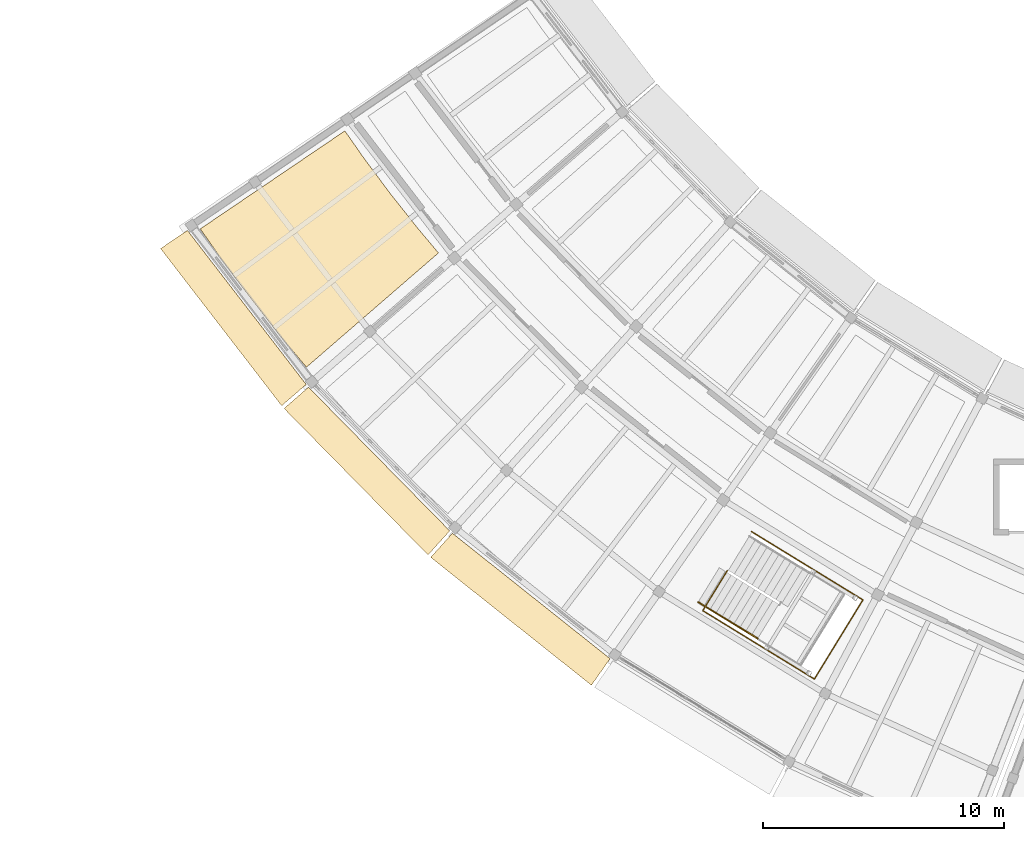
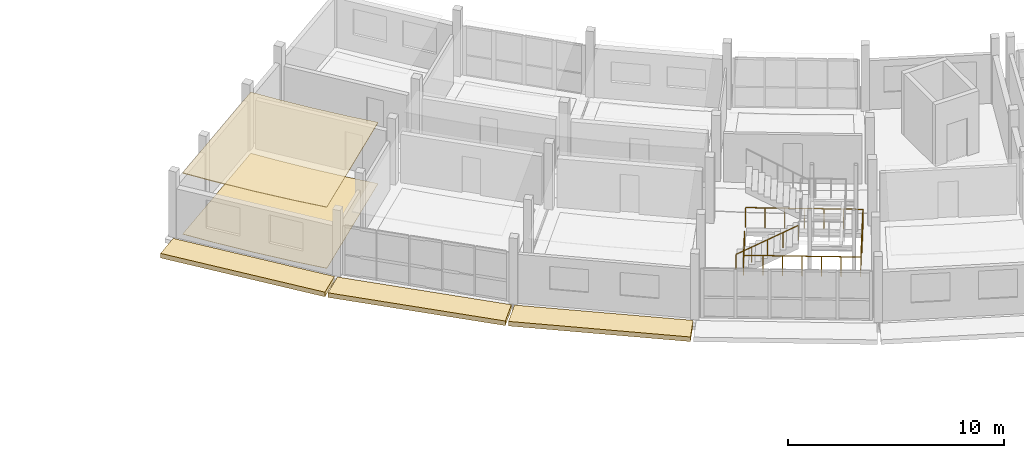
# One storey, part 67 of 77: 5 coverings, 2 railings.
"""IFC4 building model written with IfcOpenShell, lengths in metres."""

from ifc_helpers import new_model, si_unit, direction, frame, origin, origin_2d, place, context, subcontext, project, spatial, polyline, circle, outline, extrude, material, layer, layer_set, type_object, element, save


model = new_model("IFC4")

# Units and contexts
model_context = context("Model", 3, precision=1e-05, world=origin(), true_north=direction((0.0, 1.0)))
body_context = subcontext(model_context, "Body", "Model", "MODEL_VIEW")
ifc_project = project(units=[si_unit("LENGTHUNIT", "METRE"), si_unit("AREAUNIT", "SQUARE_METRE"), si_unit("VOLUMEUNIT", "CUBIC_METRE"), si_unit("PLANEANGLEUNIT", "RADIAN"), si_unit("MASSUNIT", "GRAM", prefix="KILO")], contexts=[model_context])

# Site, building, storey
site_placement = place(None, origin())
site = spatial("IfcSite", under=ifc_project, at=site_placement, CompositionType="ELEMENT")
building_placement = place(site_placement, origin())
building = spatial("IfcBuilding", under=site, at=building_placement, Name="Caldaven Crescent School", CompositionType="ELEMENT")
storey_placement = place(building_placement, frame((0.0, 0.0, 4.419921875)))
storey = spatial("IfcBuildingStorey", under=building, at=storey_placement, Name="L01", CompositionType="ELEMENT", Elevation=4.419921875)

# Coverings
ifc_material_1 = material(Name="White architectural GFRC precast concrete C35/45 cladding", Category="concrete")
ifc_layer_1 = layer(ifc_material_1, 0.260009765625)
ifc_layer_set_1 = layer_set([ifc_layer_1], Name="White architectural GFRC precast concrete C35/45 cladding")
covering_type_1 = type_object("IfcCoveringType", Name="COV-CLD2", PredefinedType="CLADDING", material=ifc_layer_set_1)
covering_1_placement = place(storey_placement, frame((0.0, 0.0, -0.260009765625)))
element("IfcCovering", 1, at=covering_1_placement, inside=storey, type_object=covering_type_1, Name="CLD-OUT-L01-002", PredefinedType="CLADDING", context=body_context, shape_type="SweptSolid", body=[
    extrude(outline(polyline([(30.334716796875, 56.671142578125), (35.2734375, 50.26220703125), (34.253662109375, 49.377685546875), (29.219482421875, 55.910400390625), (30.334716796875, 56.671142578125)])), origin(), (0.0, 0.0, 1.0), 0.260009765625),
])
covering_2_placement = place(storey_placement, frame((0.0, 0.0, -0.260009765625)))
element("IfcCovering", 2, at=covering_2_placement, inside=storey, type_object=covering_type_1, Name="CLD-OUT-L01-004", PredefinedType="CLADDING", context=body_context, shape_type="SweptSolid", body=[
    extrude(outline(polyline([(35.369140625, 50.15185546875), (41.240478515625, 44.177490234375), (40.3359375, 43.175048828125), (34.351318359375, 49.26513671875), (35.369140625, 50.15185546875)])), origin(), (0.0, 0.0, 1.0), 0.260009765625),
])
covering_3_placement = place(storey_placement, frame((0.0, 0.0, -0.260009765625)))
element("IfcCovering", 3, at=covering_3_placement, inside=storey, type_object=covering_type_1, Name="CLD-OUT-L01-006", PredefinedType="CLADDING", context=body_context, shape_type="SweptSolid", body=[
    extrude(outline(polyline([(41.34912109375, 44.07958984375), (47.904541015625, 38.865234375), (47.12890625, 37.760009765625), (40.44677734375, 43.075439453125), (41.34912109375, 44.07958984375)])), origin(), (0.0, 0.0, 1.0), 0.260009765625),
])
ifc_material_2 = material(Name="Perforated Pino Radiata acoustic timber baffle ceiling", Category="wood")
ifc_layer_2 = layer(ifc_material_2, 0.0380859375)
ifc_layer_set_2 = layer_set([ifc_layer_2], Name="Perforated Pino Radiata acoustic timber baffle ceiling")
covering_type_2 = type_object("IfcCoveringType", Name="COV-CLG2", PredefinedType="CEILING", material=ifc_layer_set_2)
covering_4_placement = place(storey_placement, frame((0.0, 0.0, 3.4521484375)))
element("IfcCovering", 4, at=covering_4_placement, inside=storey, type_object=covering_type_2, Name="CLG-L01-117", PredefinedType="CEILING", context=body_context, shape_type="SweptSolid", body=[
    extrude(outline(polyline([(37.66357421875, 59.68310546875), (37.671142578125, 59.672607421875), (38.752685546875, 58.219482421875), (38.7607421875, 58.208984375), (39.88427734375, 56.788330078125), (39.892578125, 56.778076171875), (40.772216796875, 55.730712890625), (35.2822265625, 50.980224609375), (34.260986328125, 52.1962890625), (32.996826171875, 53.794677734375), (31.7802734375, 55.429443359375), (30.8701171875, 56.730712890625), (36.87939453125, 60.80419921875), (37.66357421875, 59.68310546875)])), origin(), (0.0, 0.0, 1.0), 0.037841796875),
])
ifc_material_3 = material(Name="Polished terrazzo and acoustic linoleum flooring")
ifc_layer_3 = layer(ifc_material_3, 0.02001953125)
ifc_layer_set_3 = layer_set([ifc_layer_3], Name="Polished terrazzo and acoustic linoleum flooring")
covering_type_3 = type_object("IfcCoveringType", Name="COV-FLR1", PredefinedType="FLOORING", material=ifc_layer_set_3)
covering_5_placement = place(storey_placement, origin())
element("IfcCovering", 5, at=covering_5_placement, inside=storey, type_object=covering_type_3, Name="FLR-L01-117", PredefinedType="FLOORING", context=body_context, shape_type="SweptSolid", body=[
    extrude(outline(polyline([(36.87939453125, 60.80419921875), (37.66357421875, 59.68310546875), (37.671142578125, 59.672607421875), (38.752685546875, 58.219482421875), (38.7607421875, 58.208984375), (39.88427734375, 56.788330078125), (39.892578125, 56.778076171875), (40.772216796875, 55.730712890625), (35.2822265625, 50.980224609375), (34.260986328125, 52.1962890625), (32.996826171875, 53.794677734375), (31.7802734375, 55.429443359375), (30.8701171875, 56.730712890625), (36.87939453125, 60.80419921875)])), origin(), (0.0, 0.0, 1.0), 0.02001953125),
])

# Railings
ifc_material_4 = material(Name="Brushed stainless-steel continuous tubular handrail", Category="steel")
railing_type_1 = type_object("IfcRailingType", Name="RAL-HR1", PredefinedType="HANDRAIL", material=ifc_material_4)
railing_1_placement = place(storey_placement, frame((51.56787109375, 41.218017578125, 0.173095703125)))
element("IfcRailing", 6, at=railing_1_placement, inside=storey, type_object=railing_type_1, Name="HR-ST1-L01-F1", PredefinedType="HANDRAIL", context=body_context, shape_type="SweptSolid", body=[
    extrude(circle(Radius=0.02392578125, at=origin_2d()), frame((0.0, 0.0, 0.85595703125), z_axis=(0.735587074415, -0.450735918624, 0.50571611366), x_axis=(0.522471243916, 0.85265690596, 0.0)), (0.0, 0.0, 1.0), 3.361572265625),
    extrude(circle(Radius=0.02099609375, at=origin_2d()), origin(), (0.0, 0.0, 1.0), 0.831787109375),
    extrude(circle(Radius=0.02099609375, at=origin_2d()), frame((0.6181640625, -0.37890625, 0.425048828125)), (0.0, 0.0, 1.0), 0.831787109375),
    extrude(circle(Radius=0.02099609375, at=origin_2d()), frame((1.236328125, -0.757568359375, 0.85009765625)), (0.0, 0.0, 1.0), 0.831787109375),
    extrude(circle(Radius=0.02099609375, at=origin_2d()), frame((1.8544921875, -1.13623046875, 1.27490234375)), (0.0, 0.0, 1.0), 0.831787109375),
    extrude(circle(Radius=0.02099609375, at=origin_2d()), frame((2.47265625, -1.51513671875, 1.699951171875)), (0.0, 0.0, 1.0), 0.831787109375),
])
ifc_material_5 = material(Name="Powder-coated tubular steel balustrade ASTM A572 Grade 50", Category="steel")
railing_type_2 = type_object("IfcRailingType", Name="RAL-INT3", PredefinedType="BALUSTRADE", material=ifc_material_5)
railing_2_placement = place(storey_placement, frame((52.7763671875, 42.524169921875, 0.0)))
element("IfcRailing", 7, at=railing_2_placement, inside=storey, type_object=railing_type_2, Name="GD-WELL-ST1-L01", PredefinedType="BALUSTRADE", context=body_context, shape_type="SweptSolid", body=[
    extrude(circle(Radius=0.02392578125, at=origin_2d()), frame((0.0, 0.0, 1.1259765625), z_axis=(-0.522427010479, -0.852684008717, 0.0), x_axis=(0.852684008717, -0.522427010479, 0.0)), (0.0, 0.0, 1.0), 1.9501953125),
    extrude(circle(Radius=0.02392578125, at=origin_2d()), frame((-1.018798828125, -1.662841796875, 1.1259765625), z_axis=(0.852645740303, -0.522489465486, 0.0), x_axis=(0.522489465486, 0.852645740303, 0.0)), (0.0, 0.0, 1.0), 5.441650390625),
    extrude(circle(Radius=0.02392578125, at=origin_2d()), frame((3.62109375, -4.506103515625, 1.1259765625), z_axis=(0.522519044462, 0.852627614011, 0.0), x_axis=(-0.852627614011, 0.522519044462, 0.0)), (0.0, 0.0, 1.0), 3.85986328125),
    extrude(circle(Radius=0.02392578125, at=origin_2d()), frame((5.637939453125, -1.215087890625, 1.1259765625), z_axis=(-0.852625753179, 0.522522080888, 0.0), x_axis=(-0.522522080888, -0.852625753179, 0.0)), (0.0, 0.0, 1.0), 5.44189453125),
    extrude(circle(Radius=0.02099609375, at=origin_2d()), origin(), (0.0, 0.0, 1.0), 1.101806640625),
    extrude(circle(Radius=0.02099609375, at=origin_2d()), frame((-0.50927734375, -0.83154296875, 0.0)), (0.0, 0.0, 1.0), 1.101806640625),
    extrude(circle(Radius=0.02099609375, at=origin_2d()), frame((-1.018798828125, -1.662841796875, 0.0)), (0.0, 0.0, 1.0), 1.101806640625),
    extrude(circle(Radius=0.02099609375, at=origin_2d()), frame((-0.24560546875, -2.13671875, 0.0)), (0.0, 0.0, 1.0), 1.101806640625),
    extrude(circle(Radius=0.02099609375, at=origin_2d()), frame((0.52783203125, -2.610595703125, 0.0)), (0.0, 0.0, 1.0), 1.101806640625),
    extrude(circle(Radius=0.02099609375, at=origin_2d()), frame((1.30126953125, -3.08447265625, 0.0)), (0.0, 0.0, 1.0), 1.101806640625),
    extrude(circle(Radius=0.02099609375, at=origin_2d()), frame((2.074462890625, -3.558349609375, 0.0)), (0.0, 0.0, 1.0), 1.101806640625),
    extrude(circle(Radius=0.02099609375, at=origin_2d()), frame((2.84765625, -4.0322265625, 0.0)), (0.0, 0.0, 1.0), 1.101806640625),
    extrude(circle(Radius=0.02099609375, at=origin_2d()), frame((3.62109375, -4.506103515625, 0.0)), (0.0, 0.0, 1.0), 1.101806640625),
    extrude(circle(Radius=0.02099609375, at=origin_2d()), frame((4.125244140625, -3.683349609375, 0.0)), (0.0, 0.0, 1.0), 1.101806640625),
    extrude(circle(Radius=0.02099609375, at=origin_2d()), frame((4.62939453125, -2.860595703125, 0.0)), (0.0, 0.0, 1.0), 1.101806640625),
    extrude(circle(Radius=0.02099609375, at=origin_2d()), frame((5.1337890625, -2.037841796875, 0.0)), (0.0, 0.0, 1.0), 1.101806640625),
    extrude(circle(Radius=0.02099609375, at=origin_2d()), frame((5.637939453125, -1.215087890625, 0.0)), (0.0, 0.0, 1.0), 1.101806640625),
    extrude(circle(Radius=0.02099609375, at=origin_2d()), frame((4.86474609375, -0.7412109375, 0.0)), (0.0, 0.0, 1.0), 1.101806640625),
    extrude(circle(Radius=0.02099609375, at=origin_2d()), frame((4.09130859375, -0.267333984375, 0.0)), (0.0, 0.0, 1.0), 1.101806640625),
    extrude(circle(Radius=0.02099609375, at=origin_2d()), frame((3.31787109375, 0.20654296875, 0.0)), (0.0, 0.0, 1.0), 1.101806640625),
    extrude(circle(Radius=0.02099609375, at=origin_2d()), frame((2.544677734375, 0.6806640625, 0.0)), (0.0, 0.0, 1.0), 1.101806640625),
    extrude(circle(Radius=0.02099609375, at=origin_2d()), frame((1.771484375, 1.154541015625, 0.0)), (0.0, 0.0, 1.0), 1.101806640625),
    extrude(circle(Radius=0.02099609375, at=origin_2d()), frame((0.998046875, 1.62841796875, 0.0)), (0.0, 0.0, 1.0), 1.101806640625),
])

save(model, "model.ifc")
